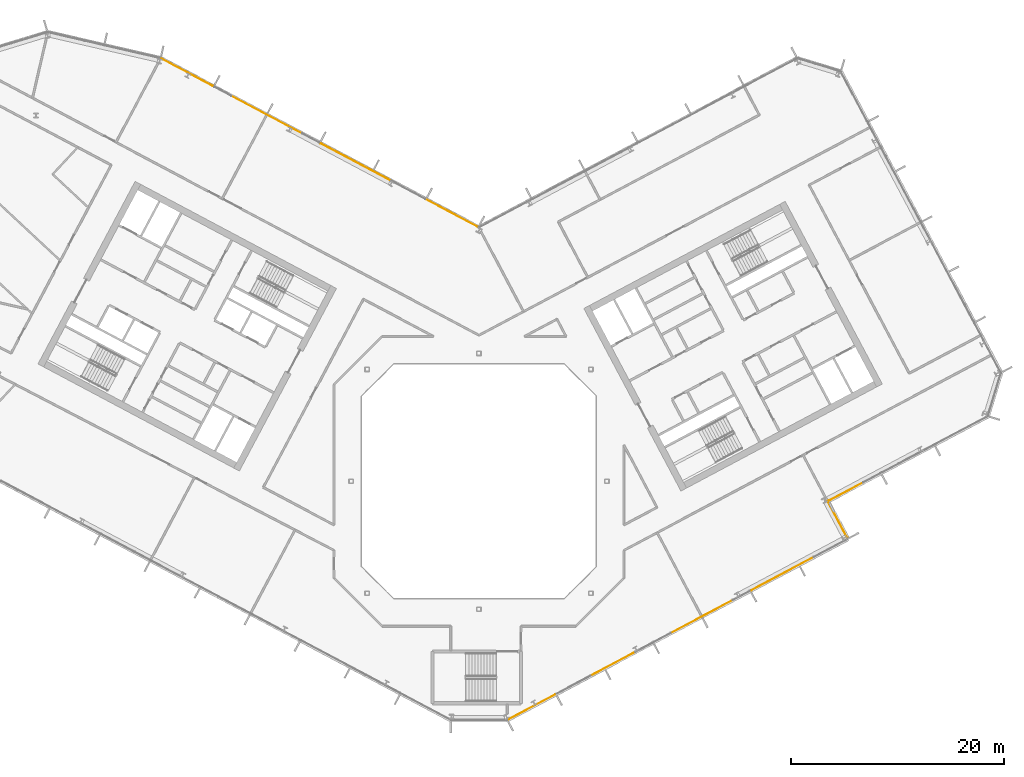
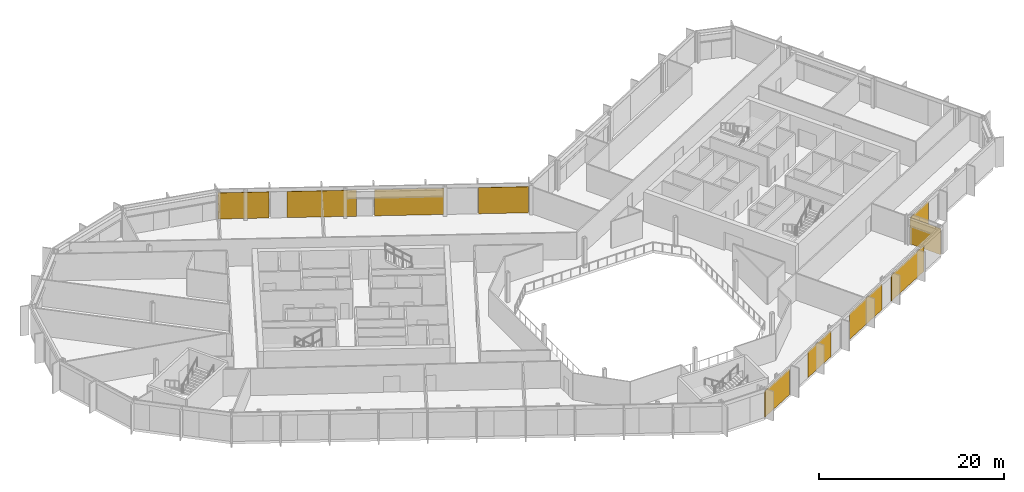
# One storey, part 23 of 26: 10 coverings, 4 elements without a shape of their own.
"""IFC4 building model written with IfcOpenShell, lengths in metres."""

from ifc_helpers import new_model, si_unit, direction, frame, origin, origin_2d, place, context, subcontext, project, spatial, rectangle, extrude, material, layer, layer_set, type_object, element, aggregate, save


model = new_model("IFC4")

# Units and contexts
model_context = context("Model", 3, precision=1e-05, world=origin(), true_north=direction((0.0, 1.0)))
body_context = subcontext(model_context, "Body", "Model", "MODEL_VIEW")
ifc_project = project(units=[si_unit("LENGTHUNIT", "METRE"), si_unit("AREAUNIT", "SQUARE_METRE"), si_unit("VOLUMEUNIT", "CUBIC_METRE"), si_unit("PLANEANGLEUNIT", "RADIAN"), si_unit("MASSUNIT", "GRAM", prefix="KILO")], contexts=[model_context])

# Site, building, storey
site_placement = place(None, origin())
site = spatial("IfcSite", under=ifc_project, at=site_placement, CompositionType="ELEMENT")
building_placement = place(site_placement, origin())
building = spatial("IfcBuilding", under=site, at=building_placement, Name="Cormorant Relay Tower", CompositionType="ELEMENT")
storey_placement = place(building_placement, frame((0.0, 0.0, 213.0)))
storey = spatial("IfcBuildingStorey", under=building, at=storey_placement, Name="L46", CompositionType="ELEMENT", Elevation=213.0)

# Curtain wall, coverings
ifc_material_1 = material(Name="Aluminium 6063-T6 anodised bronze", Category="aluminium")
ifc_layer_1 = layer(ifc_material_1, 0.199951171875)
ifc_layer_set_1 = layer_set([ifc_layer_1], Name="CW1 unitised bronze curtain wall with vertical fins")
curtain_wall_type = type_object("IfcCurtainWallType", Name="CW1 unitised bronze curtain wall with vertical fins", PredefinedType="NOTDEFINED", material=ifc_layer_set_1)
curtain_wall_1_placement = place(storey_placement, origin())
curtain_wall_1 = element("IfcCurtainWall", 1, at=curtain_wall_1_placement, inside=storey, type_object=curtain_wall_type, Name="CW1 curtain wall 2", PredefinedType="NOTDEFINED")
ifc_material_2 = material(Name="Pale bronze anodised aluminium insulated panel", Category="aluminium")
ifc_layer_2 = layer(ifc_material_2, 0.0400390625)
ifc_layer_set_2 = layer_set([ifc_layer_2], Name="CW1 pale bronze insulated panel 40")
covering_type = type_object("IfcCoveringType", Name="CW1 pale bronze insulated panel 40", PredefinedType="CLADDING", material=ifc_layer_set_2)
covering_1_placement = place(storey_placement, frame((4.939208984375, -21.180419921875, 0.0), z_axis=(0.0, 0.0, 1.0), x_axis=(0.882947592859, 0.469471562786, 0.0)))
covering_1 = element("IfcCovering", 2, at=covering_1_placement, type_object=covering_type, Name="CW1 panel S00", PredefinedType="CLADDING", context=body_context, shape_type="SweptSolid", body=[
    extrude(rectangle(XDim=5.0166015625, YDim=0.0400390625, at=origin_2d()), origin(), (0.0, 0.0, 1.0), 3.449951171875),
])
covering_2_placement = place(storey_placement, frame((12.576416015625, -17.11962890625, 0.0), z_axis=(0.0, 0.0, 1.0), x_axis=(0.882947592859, 0.469471562786, 0.0)))
covering_2 = element("IfcCovering", 3, at=covering_2_placement, type_object=covering_type, Name="CW1 panel S02", PredefinedType="CLADDING", context=body_context, shape_type="SweptSolid", body=[
    extrude(rectangle(XDim=4.783203125, YDim=0.0400390625, at=origin_2d()), origin(), (0.0, 0.0, 1.0), 3.449951171875),
])
covering_3_placement = place(storey_placement, frame((20.905517578125, -12.69091796875, 0.0), z_axis=(0.0, 0.0, 1.0), x_axis=(0.882947592859, 0.469471562786, 0.0)))
covering_3 = element("IfcCovering", 4, at=covering_3_placement, type_object=covering_type, Name="CW1 panel S05", PredefinedType="CLADDING", context=body_context, shape_type="SweptSolid", body=[
    extrude(rectangle(XDim=6.5830078125, YDim=0.0400390625, at=origin_2d()), origin(), (0.0, 0.0, 1.0), 3.449951171875),
])
covering_4_placement = place(storey_placement, frame((28.472900390625, -8.667236328125, 0.0), z_axis=(0.0, 0.0, 1.0), x_axis=(0.882947592859, 0.469471562786, 0.0)))
covering_4 = element("IfcCovering", 5, at=covering_4_placement, type_object=covering_type, Name="CW1 panel S07", PredefinedType="CLADDING", context=body_context, shape_type="SweptSolid", body=[
    extrude(rectangle(XDim=6.658203125, YDim=0.0400390625, at=origin_2d()), origin(), (0.0, 0.0, 1.0), 3.449951171875),
])
aggregate(curtain_wall_1, [covering_1, covering_2, covering_3, covering_4])

# Curtain wall, covering
curtain_wall_2_placement = place(storey_placement, origin())
curtain_wall_2 = element("IfcCurtainWall", 6, at=curtain_wall_2_placement, inside=storey, type_object=curtain_wall_type, Name="CW1 curtain wall 3", PredefinedType="NOTDEFINED")
covering_5_placement = place(storey_placement, frame((33.642578125, -3.58837890625, 0.0), z_axis=(0.0, 0.0, 1.0), x_axis=(-0.469471562786, 0.882947592859, 0.0)))
covering_5 = element("IfcCovering", 7, at=covering_5_placement, type_object=covering_type, Name="CW1 panel S00", PredefinedType="CLADDING", context=body_context, shape_type="SweptSolid", body=[
    extrude(rectangle(XDim=3.925048828125, YDim=0.0400390625, at=origin_2d()), origin(), (0.0, 0.0, 1.0), 3.449951171875),
])
aggregate(curtain_wall_2, [covering_5])

curtain_wall_3_placement = place(storey_placement, origin())
curtain_wall_3 = element("IfcCurtainWall", 8, at=curtain_wall_3_placement, inside=storey, type_object=curtain_wall_type, Name="CW1 curtain wall 4", PredefinedType="NOTDEFINED")
covering_6_placement = place(storey_placement, frame((34.453125, -0.957275390625, 0.0), z_axis=(0.0, 0.0, 1.0), x_axis=(0.882947592859, 0.469471562786, 0.0)))
covering_6 = element("IfcCovering", 9, at=covering_6_placement, type_object=covering_type, Name="CW1 panel S00", PredefinedType="CLADDING", context=body_context, shape_type="SweptSolid", body=[
    extrude(rectangle(XDim=3.6416015625, YDim=0.0400390625, at=origin_2d()), origin(), (0.0, 0.0, 1.0), 3.449951171875),
])
aggregate(curtain_wall_3, [covering_6])

# Curtain wall, coverings
curtain_wall_4_placement = place(storey_placement, origin())
curtain_wall_4 = element("IfcCurtainWall", 10, at=curtain_wall_4_placement, inside=storey, type_object=curtain_wall_type, Name="CW1 curtain wall 9", PredefinedType="NOTDEFINED")
covering_7_placement = place(storey_placement, frame((-2.51318359375, 25.142822265625, 0.0), z_axis=(0.0, 0.0, 1.0), x_axis=(-0.882947592859, 0.469471562786, 0.0)))
covering_7 = element("IfcCovering", 11, at=covering_7_placement, type_object=covering_type, Name="CW1 panel S00", PredefinedType="CLADDING", context=body_context, shape_type="SweptSolid", body=[
    extrude(rectangle(XDim=5.4140625, YDim=0.0400390625, at=origin_2d()), origin(), (0.0, 0.0, 1.0), 3.449951171875),
])
covering_8_placement = place(storey_placement, frame((-11.537841796875, 29.94140625, 0.0), z_axis=(0.0, 0.0, 1.0), x_axis=(-0.882947592859, 0.469471562786, 0.0)))
covering_8 = element("IfcCovering", 12, at=covering_8_placement, type_object=covering_type, Name="CW1 panel S02", PredefinedType="CLADDING", context=body_context, shape_type="SweptSolid", body=[
    extrude(rectangle(XDim=7.528076171875, YDim=0.0400390625, at=origin_2d()), origin(), (0.0, 0.0, 1.0), 3.449951171875),
])
covering_9_placement = place(storey_placement, frame((-19.906494140625, 34.39111328125, 0.0), z_axis=(0.0, 0.0, 1.0), x_axis=(-0.882947592859, 0.469471562786, 0.0)))
covering_9 = element("IfcCovering", 13, at=covering_9_placement, type_object=covering_type, Name="CW1 panel S04", PredefinedType="CLADDING", context=body_context, shape_type="SweptSolid", body=[
    extrude(rectangle(XDim=7.528076171875, YDim=0.0400390625, at=origin_2d()), origin(), (0.0, 0.0, 1.0), 3.449951171875),
])
covering_10_placement = place(storey_placement, frame((-27.407958984375, 38.379638671875, 0.0), z_axis=(0.0, 0.0, 1.0), x_axis=(-0.882947592859, 0.469471562786, 0.0)))
covering_10 = element("IfcCovering", 14, at=covering_10_placement, type_object=covering_type, Name="CW1 panel S06", PredefinedType="CLADDING", context=body_context, shape_type="SweptSolid", body=[
    extrude(rectangle(XDim=5.56396484375, YDim=0.0400390625, at=origin_2d()), origin(), (0.0, 0.0, 1.0), 3.449951171875),
])
aggregate(curtain_wall_4, [covering_7, covering_8, covering_9, covering_10])

save(model, "model.ifc")
